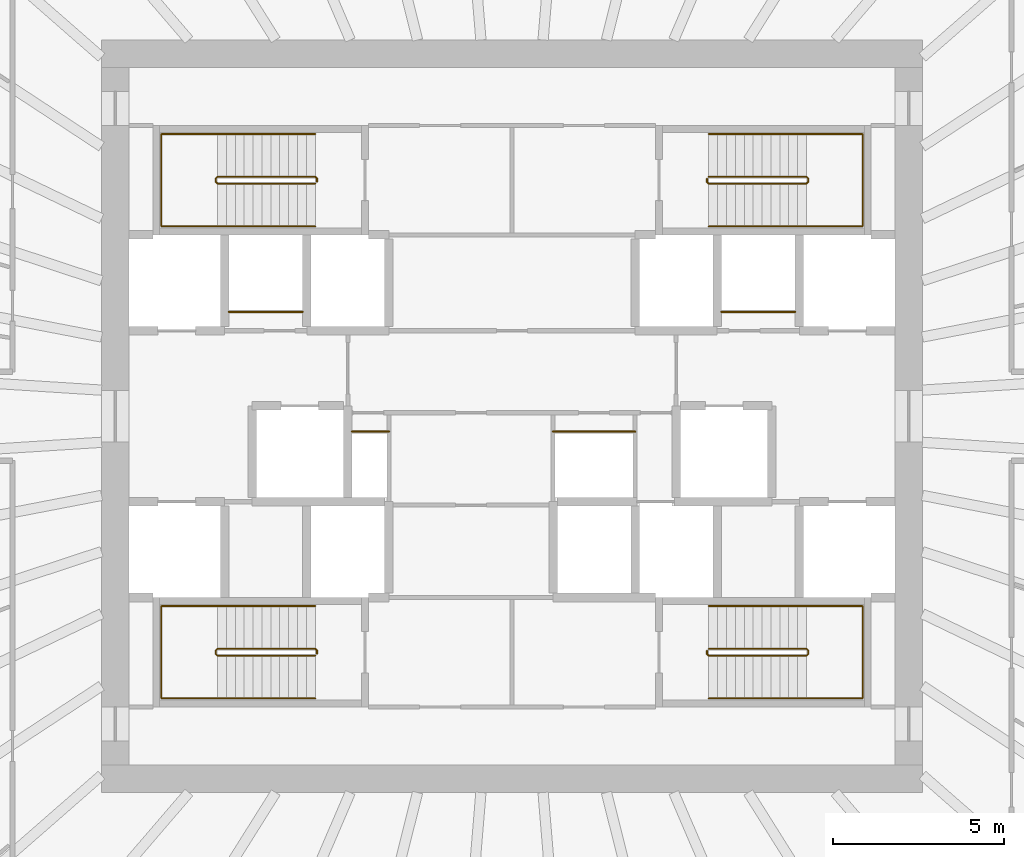
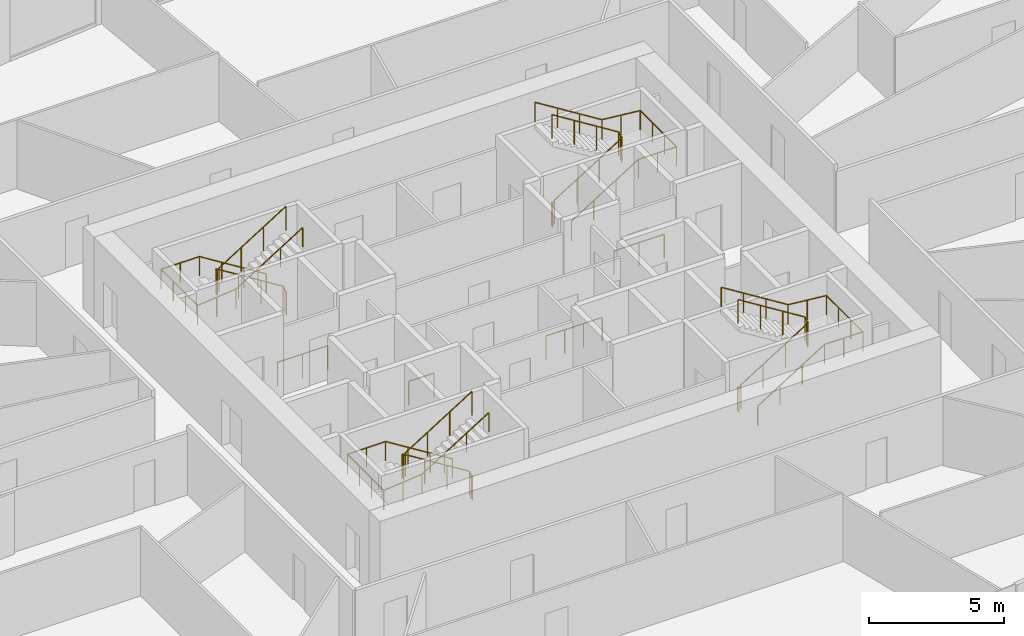
# One storey, part 11 of 11: 12 railings.
"""IFC4 building model written with IfcOpenShell, lengths in metres."""

from ifc_helpers import new_model, si_unit, direction, frame, origin, origin_2d, place, context, subcontext, project, spatial, circle, extrude, source, transform, mapped, material, type_object, element, save


model = new_model("IFC4")

# Units and contexts
model_context = context("Model", 3, precision=1e-05, world=origin(), true_north=direction((0.0, 1.0)))
body_context = subcontext(model_context, "Body", "Model", "MODEL_VIEW")
ifc_project = project(units=[si_unit("LENGTHUNIT", "METRE"), si_unit("AREAUNIT", "SQUARE_METRE"), si_unit("VOLUMEUNIT", "CUBIC_METRE"), si_unit("PLANEANGLEUNIT", "RADIAN"), si_unit("MASSUNIT", "GRAM", prefix="KILO")], contexts=[model_context])

# Site, building, storey
site_placement = place(None, origin())
site = spatial("IfcSite", under=ifc_project, at=site_placement, CompositionType="ELEMENT")
building_placement = place(site_placement, origin())
building = spatial("IfcBuilding", under=site, at=building_placement, Name="Embergate Tower", CompositionType="ELEMENT")
storey_placement = place(building_placement, frame((0.0, 0.0, 199.5)))
storey = spatial("IfcBuildingStorey", under=building, at=storey_placement, Name="L45", CompositionType="ELEMENT", Elevation=199.5)

# Railings
ifc_material_1 = material(Name="Stair guard 1100")
railing_type_1 = type_object("IfcRailingType", Name="Stair guard 1100", PredefinedType="GUARDRAIL", material=ifc_material_1)
shared_shape_1 = source(origin(), body_context, "Body", "SweptSolid", [
    extrude(circle(Radius=0.02392578125, at=origin_2d()), frame((0.0, 0.0, 1.076171875), z_axis=(0.0, 1.0, 0.0), x_axis=(-1.0, 0.0, 0.0)), (0.0, 0.0, 1.0), 0.099853515625),
    extrude(circle(Radius=0.02392578125, at=origin_2d()), frame((0.0, 0.099853515625, 1.076171875), z_axis=(-0.282227285176, 0.282227285176, 0.916894497205), x_axis=(-0.707106781187, -0.707106781187, 0.0)), (0.0, 0.0, 1.0), 0.17724609375),
    extrude(circle(Radius=0.02392578125, at=origin_2d()), frame((-0.050048828125, 0.14990234375, 1.23876953125), z_axis=(-0.848026770018, 0.0, 0.529953391661), x_axis=(0.0, -1.0, 0.0)), (0.0, 0.0, 1.0), 3.37255859375),
    extrude(circle(Radius=0.02392578125, at=origin_2d()), frame((-2.91015625, 0.14990234375, 3.02587890625), z_axis=(-0.705375805398, -0.708833529934, 0.0), x_axis=(0.708833529934, -0.705375805398, 0.0)), (0.0, 0.0, 1.0), 0.070556640625),
    extrude(circle(Radius=0.02392578125, at=origin_2d()), frame((-2.9599609375, 0.099853515625, 3.02587890625), z_axis=(0.0, -1.0, 0.0), x_axis=(1.0, 0.0, 0.0)), (0.0, 0.0, 1.0), 0.099853515625),
    extrude(circle(Radius=0.02392578125, at=origin_2d()), frame((-2.9599609375, 0.0, 3.02587890625), z_axis=(0.280959487676, -0.282336740067, 0.917250092119), x_axis=(0.708833529934, 0.705375805398, 0.0)), (0.0, 0.0, 1.0), 0.17724609375),
    extrude(circle(Radius=0.02392578125, at=origin_2d()), frame((-2.91015625, -0.050048828125, 3.1884765625), z_axis=(0.848026770018, 0.0, 0.529953391661), x_axis=(0.0, 1.0, 0.0)), (0.0, 0.0, 1.0), 3.37255859375),
    extrude(circle(Radius=0.02099609375, at=origin_2d()), origin(), (0.0, 0.0, 1.0), 1.052001953125),
    extrude(circle(Radius=0.02099609375, at=origin_2d()), frame((0.0, 0.099853515625, 0.0)), (0.0, 0.0, 1.0), 1.052001953125),
    extrude(circle(Radius=0.02099609375, at=origin_2d()), frame((-0.050048828125, 0.14990234375, 0.16259765625)), (0.0, 0.0, 1.0), 1.052001953125),
    extrude(circle(Radius=0.02099609375, at=origin_2d()), frame((-1.00341796875, 0.14990234375, 0.75830078125)), (0.0, 0.0, 1.0), 1.052001953125),
    extrude(circle(Radius=0.02099609375, at=origin_2d()), frame((-1.956787109375, 0.14990234375, 1.354248046875)), (0.0, 0.0, 1.0), 1.052001953125),
    extrude(circle(Radius=0.02099609375, at=origin_2d()), frame((-2.91015625, 0.14990234375, 1.949951171875)), (0.0, 0.0, 1.0), 1.052001953125),
    extrude(circle(Radius=0.02099609375, at=origin_2d()), frame((-2.9599609375, 0.099853515625, 1.949951171875)), (0.0, 0.0, 1.0), 1.052001953125),
    extrude(circle(Radius=0.02099609375, at=origin_2d()), frame((-2.9599609375, 0.0, 1.949951171875)), (0.0, 0.0, 1.0), 1.052001953125),
    extrude(circle(Radius=0.02099609375, at=origin_2d()), frame((-2.91015625, -0.050048828125, 2.112548828125)), (0.0, 0.0, 1.0), 1.052001953125),
    extrude(circle(Radius=0.02099609375, at=origin_2d()), frame((-1.956787109375, -0.050048828125, 2.708251953125)), (0.0, 0.0, 1.0), 1.052001953125),
    extrude(circle(Radius=0.02099609375, at=origin_2d()), frame((-1.00341796875, -0.050048828125, 3.30419921875)), (0.0, 0.0, 1.0), 1.052001953125),
    extrude(circle(Radius=0.02099609375, at=origin_2d()), frame((-0.050048828125, -0.050048828125, 3.89990234375)), (0.0, 0.0, 1.0), 1.052001953125),
])
for number, where, name in (
    (1, (-5.699951171875, 6.85009765625, 0.0), "L45 ST1 stair guard 1"),
    (2, (-5.699951171875, -6.949951171875, 0.0), "L45 ST3 stair guard 1"),
):
    element("IfcRailing", number, at=place(storey_placement, frame(where)), inside=storey, type_object=railing_type_1, Name=name, PredefinedType="GUARDRAIL", context=body_context, shape_type="MappedRepresentation", body=[
        mapped(shared_shape_1, transform((0.0, 0.0, 0.0))),
    ])
ifc_material_2 = material(Name="Stair handrail 900")
railing_type_2 = type_object("IfcRailingType", Name="Stair handrail 900", PredefinedType="HANDRAIL", material=ifc_material_2)
shared_shape_2 = source(origin(), body_context, "Body", "SweptSolid", [
    extrude(circle(Radius=0.02392578125, at=origin_2d()), frame((0.0, 0.0, 0.8759765625), z_axis=(-0.848026770018, 0.0, 0.529953391661), x_axis=(0.0, -1.0, 0.0)), (0.0, 0.0, 1.0), 3.37255859375),
    extrude(circle(Radius=0.02392578125, at=origin_2d()), frame((-2.860107421875, 0.0, 2.6630859375), z_axis=(-1.0, 0.0, 0.0), x_axis=(0.0, -1.0, 0.0)), (0.0, 0.0, 1.0), 1.639892578125),
    extrude(circle(Radius=0.02392578125, at=origin_2d()), frame((-4.5, 0.0, 2.6630859375), z_axis=(0.0, -1.0, 0.0), x_axis=(1.0, 0.0, 0.0)), (0.0, 0.0, 1.0), 2.699951171875),
    extrude(circle(Radius=0.02392578125, at=origin_2d()), frame((-4.5, -2.699951171875, 2.6630859375), z_axis=(0.995120448088, 0.0, 0.098667592441), x_axis=(0.0, 1.0, 0.0)), (0.0, 0.0, 1.0), 1.64794921875),
    extrude(circle(Radius=0.02392578125, at=origin_2d()), frame((-2.860107421875, -2.699951171875, 2.82568359375), z_axis=(0.848026770018, 0.0, 0.529953391661), x_axis=(0.0, 1.0, 0.0)), (0.0, 0.0, 1.0), 3.37255859375),
    extrude(circle(Radius=0.02099609375, at=origin_2d()), origin(), (0.0, 0.0, 1.0), 0.851806640625),
    extrude(circle(Radius=0.02099609375, at=origin_2d()), frame((-0.953369140625, 0.0, 0.595703125)), (0.0, 0.0, 1.0), 0.851806640625),
    extrude(circle(Radius=0.02099609375, at=origin_2d()), frame((-1.90673828125, 0.0, 1.191650390625)), (0.0, 0.0, 1.0), 0.851806640625),
    extrude(circle(Radius=0.02099609375, at=origin_2d()), frame((-2.860107421875, 0.0, 1.787353515625)), (0.0, 0.0, 1.0), 0.851806640625),
    extrude(circle(Radius=0.02099609375, at=origin_2d()), frame((-3.68017578125, 0.0, 1.787353515625)), (0.0, 0.0, 1.0), 0.851806640625),
    extrude(circle(Radius=0.02099609375, at=origin_2d()), frame((-4.5, 0.0, 1.787353515625)), (0.0, 0.0, 1.0), 0.851806640625),
    extrude(circle(Radius=0.02099609375, at=origin_2d()), frame((-4.5, -0.89990234375, 1.787353515625)), (0.0, 0.0, 1.0), 0.851806640625),
    extrude(circle(Radius=0.02099609375, at=origin_2d()), frame((-4.5, -1.800048828125, 1.787353515625)), (0.0, 0.0, 1.0), 0.851806640625),
    extrude(circle(Radius=0.02099609375, at=origin_2d()), frame((-4.5, -2.699951171875, 1.787353515625)), (0.0, 0.0, 1.0), 0.851806640625),
    extrude(circle(Radius=0.02099609375, at=origin_2d()), frame((-3.68017578125, -2.699951171875, 1.86865234375)), (0.0, 0.0, 1.0), 0.851806640625),
    extrude(circle(Radius=0.02099609375, at=origin_2d()), frame((-2.860107421875, -2.699951171875, 1.949951171875)), (0.0, 0.0, 1.0), 0.851806640625),
    extrude(circle(Radius=0.02099609375, at=origin_2d()), frame((-1.90673828125, -2.699951171875, 2.545654296875)), (0.0, 0.0, 1.0), 0.851806640625),
    extrude(circle(Radius=0.02099609375, at=origin_2d()), frame((-0.953369140625, -2.699951171875, 3.1416015625)), (0.0, 0.0, 1.0), 0.851806640625),
    extrude(circle(Radius=0.02099609375, at=origin_2d()), frame((0.0, -2.699951171875, 3.7373046875)), (0.0, 0.0, 1.0), 0.851806640625),
])
for number, where, name in (
    (3, (-5.75, 8.25, 0.16259765625), "L45 ST1 stair handrail 1"),
    (4, (-5.75, -5.550048828125, 0.16259765625), "L45 ST3 stair handrail 1"),
):
    element("IfcRailing", number, at=place(storey_placement, frame(where)), inside=storey, type_object=railing_type_2, Name=name, PredefinedType="HANDRAIL", context=body_context, shape_type="MappedRepresentation", body=[
        mapped(shared_shape_2, transform((0.0, 0.0, 0.0))),
    ])
shared_shape_3 = source(origin(), body_context, "Body", "SweptSolid", [
    extrude(circle(Radius=0.02392578125, at=origin_2d()), frame((0.0, 0.0, 1.076171875), z_axis=(0.0, -1.0, 0.0), x_axis=(1.0, 0.0, 0.0)), (0.0, 0.0, 1.0), 0.099853515625),
    extrude(circle(Radius=0.02392578125, at=origin_2d()), frame((0.0, -0.099853515625, 1.076171875), z_axis=(0.282227285176, -0.282227285176, 0.916894497205), x_axis=(0.707106781187, 0.707106781187, 0.0)), (0.0, 0.0, 1.0), 0.17724609375),
    extrude(circle(Radius=0.02392578125, at=origin_2d()), frame((0.050048828125, -0.14990234375, 1.23876953125), z_axis=(0.848026770018, 0.0, 0.529953391661), x_axis=(0.0, 1.0, 0.0)), (0.0, 0.0, 1.0), 3.37255859375),
    extrude(circle(Radius=0.02392578125, at=origin_2d()), frame((2.91015625, -0.14990234375, 3.02587890625), z_axis=(0.705375805398, 0.708833529934, 0.0), x_axis=(-0.708833529934, 0.705375805398, 0.0)), (0.0, 0.0, 1.0), 0.070556640625),
    extrude(circle(Radius=0.02392578125, at=origin_2d()), frame((2.9599609375, -0.099853515625, 3.02587890625), z_axis=(0.0, 1.0, 0.0), x_axis=(-1.0, 0.0, 0.0)), (0.0, 0.0, 1.0), 0.099853515625),
    extrude(circle(Radius=0.02392578125, at=origin_2d()), frame((2.9599609375, 0.0, 3.02587890625), z_axis=(-0.280959487676, 0.282336740067, 0.917250092119), x_axis=(-0.708833529934, -0.705375805398, 0.0)), (0.0, 0.0, 1.0), 0.17724609375),
    extrude(circle(Radius=0.02392578125, at=origin_2d()), frame((2.91015625, 0.050048828125, 3.1884765625), z_axis=(-0.848026770018, 0.0, 0.529953391661), x_axis=(0.0, -1.0, 0.0)), (0.0, 0.0, 1.0), 3.37255859375),
    extrude(circle(Radius=0.02099609375, at=origin_2d()), origin(), (0.0, 0.0, 1.0), 1.052001953125),
    extrude(circle(Radius=0.02099609375, at=origin_2d()), frame((0.0, -0.099853515625, 0.0)), (0.0, 0.0, 1.0), 1.052001953125),
    extrude(circle(Radius=0.02099609375, at=origin_2d()), frame((0.050048828125, -0.14990234375, 0.16259765625)), (0.0, 0.0, 1.0), 1.052001953125),
    extrude(circle(Radius=0.02099609375, at=origin_2d()), frame((1.00341796875, -0.14990234375, 0.75830078125)), (0.0, 0.0, 1.0), 1.052001953125),
    extrude(circle(Radius=0.02099609375, at=origin_2d()), frame((1.956787109375, -0.14990234375, 1.354248046875)), (0.0, 0.0, 1.0), 1.052001953125),
    extrude(circle(Radius=0.02099609375, at=origin_2d()), frame((2.91015625, -0.14990234375, 1.949951171875)), (0.0, 0.0, 1.0), 1.052001953125),
    extrude(circle(Radius=0.02099609375, at=origin_2d()), frame((2.9599609375, -0.099853515625, 1.949951171875)), (0.0, 0.0, 1.0), 1.052001953125),
    extrude(circle(Radius=0.02099609375, at=origin_2d()), frame((2.9599609375, 0.0, 1.949951171875)), (0.0, 0.0, 1.0), 1.052001953125),
    extrude(circle(Radius=0.02099609375, at=origin_2d()), frame((2.91015625, 0.050048828125, 2.112548828125)), (0.0, 0.0, 1.0), 1.052001953125),
    extrude(circle(Radius=0.02099609375, at=origin_2d()), frame((1.956787109375, 0.050048828125, 2.708251953125)), (0.0, 0.0, 1.0), 1.052001953125),
    extrude(circle(Radius=0.02099609375, at=origin_2d()), frame((1.00341796875, 0.050048828125, 3.30419921875)), (0.0, 0.0, 1.0), 1.052001953125),
    extrude(circle(Radius=0.02099609375, at=origin_2d()), frame((0.050048828125, 0.050048828125, 3.89990234375)), (0.0, 0.0, 1.0), 1.052001953125),
])
for number, where, name in (
    (5, (5.699951171875, 6.949951171875, 0.0), "L45 ST2 stair guard 1"),
    (6, (5.699951171875, -6.85009765625, 0.0), "L45 ST4 stair guard 1"),
):
    element("IfcRailing", number, at=place(storey_placement, frame(where)), inside=storey, type_object=railing_type_1, Name=name, PredefinedType="GUARDRAIL", context=body_context, shape_type="MappedRepresentation", body=[
        mapped(shared_shape_3, transform((0.0, 0.0, 0.0))),
    ])
shared_shape_4 = source(origin(), body_context, "Body", "SweptSolid", [
    extrude(circle(Radius=0.02392578125, at=origin_2d()), frame((0.0, 0.0, 0.8759765625), z_axis=(0.848026770018, 0.0, 0.529953391661), x_axis=(0.0, 1.0, 0.0)), (0.0, 0.0, 1.0), 3.37255859375),
    extrude(circle(Radius=0.02392578125, at=origin_2d()), frame((2.860107421875, 0.0, 2.6630859375), z_axis=(1.0, 0.0, 0.0), x_axis=(0.0, 1.0, 0.0)), (0.0, 0.0, 1.0), 1.639892578125),
    extrude(circle(Radius=0.02392578125, at=origin_2d()), frame((4.5, 0.0, 2.6630859375), z_axis=(0.0, 1.0, 0.0), x_axis=(-1.0, 0.0, 0.0)), (0.0, 0.0, 1.0), 2.699951171875),
    extrude(circle(Radius=0.02392578125, at=origin_2d()), frame((4.5, 2.699951171875, 2.6630859375), z_axis=(-0.995120448088, 0.0, 0.098667592441), x_axis=(0.0, -1.0, 0.0)), (0.0, 0.0, 1.0), 1.64794921875),
    extrude(circle(Radius=0.02392578125, at=origin_2d()), frame((2.860107421875, 2.699951171875, 2.82568359375), z_axis=(-0.848026770018, 0.0, 0.529953391661), x_axis=(0.0, -1.0, 0.0)), (0.0, 0.0, 1.0), 3.37255859375),
    extrude(circle(Radius=0.02099609375, at=origin_2d()), origin(), (0.0, 0.0, 1.0), 0.851806640625),
    extrude(circle(Radius=0.02099609375, at=origin_2d()), frame((0.953369140625, 0.0, 0.595703125)), (0.0, 0.0, 1.0), 0.851806640625),
    extrude(circle(Radius=0.02099609375, at=origin_2d()), frame((1.90673828125, 0.0, 1.191650390625)), (0.0, 0.0, 1.0), 0.851806640625),
    extrude(circle(Radius=0.02099609375, at=origin_2d()), frame((2.860107421875, 0.0, 1.787353515625)), (0.0, 0.0, 1.0), 0.851806640625),
    extrude(circle(Radius=0.02099609375, at=origin_2d()), frame((3.68017578125, 0.0, 1.787353515625)), (0.0, 0.0, 1.0), 0.851806640625),
    extrude(circle(Radius=0.02099609375, at=origin_2d()), frame((4.5, 0.0, 1.787353515625)), (0.0, 0.0, 1.0), 0.851806640625),
    extrude(circle(Radius=0.02099609375, at=origin_2d()), frame((4.5, 0.89990234375, 1.787353515625)), (0.0, 0.0, 1.0), 0.851806640625),
    extrude(circle(Radius=0.02099609375, at=origin_2d()), frame((4.5, 1.800048828125, 1.787353515625)), (0.0, 0.0, 1.0), 0.851806640625),
    extrude(circle(Radius=0.02099609375, at=origin_2d()), frame((4.5, 2.699951171875, 1.787353515625)), (0.0, 0.0, 1.0), 0.851806640625),
    extrude(circle(Radius=0.02099609375, at=origin_2d()), frame((3.68017578125, 2.699951171875, 1.86865234375)), (0.0, 0.0, 1.0), 0.851806640625),
    extrude(circle(Radius=0.02099609375, at=origin_2d()), frame((2.860107421875, 2.699951171875, 1.949951171875)), (0.0, 0.0, 1.0), 0.851806640625),
    extrude(circle(Radius=0.02099609375, at=origin_2d()), frame((1.90673828125, 2.699951171875, 2.545654296875)), (0.0, 0.0, 1.0), 0.851806640625),
    extrude(circle(Radius=0.02099609375, at=origin_2d()), frame((0.953369140625, 2.699951171875, 3.1416015625)), (0.0, 0.0, 1.0), 0.851806640625),
    extrude(circle(Radius=0.02099609375, at=origin_2d()), frame((0.0, 2.699951171875, 3.7373046875)), (0.0, 0.0, 1.0), 0.851806640625),
])
for number, where, name in (
    (7, (5.75, 5.550048828125, 0.16259765625), "L45 ST2 stair handrail 1"),
    (8, (5.75, -8.25, 0.16259765625), "L45 ST4 stair handrail 1"),
):
    element("IfcRailing", number, at=place(storey_placement, frame(where)), inside=storey, type_object=railing_type_2, Name=name, PredefinedType="HANDRAIL", context=body_context, shape_type="MappedRepresentation", body=[
        mapped(shared_shape_4, transform((0.0, 0.0, 0.0))),
    ])
ifc_material_3 = material(Name="Opening guard 1100")
railing_type_3 = type_object("IfcRailingType", Name="Opening guard 1100", PredefinedType="GUARDRAIL", material=ifc_material_3)
shared_shape_5 = source(origin(), body_context, "Body", "SweptSolid", [
    extrude(circle(Radius=0.02392578125, at=origin_2d()), frame((0.0, 0.0, 1.076171875), z_axis=(1.0, 0.0, 0.0), x_axis=(0.0, 1.0, 0.0)), (0.0, 0.0, 1.0), 2.14990234375),
    extrude(circle(Radius=0.02099609375, at=origin_2d()), origin(), (0.0, 0.0, 1.0), 1.052001953125),
    extrude(circle(Radius=0.02099609375, at=origin_2d()), frame((1.074951171875, 0.0, 0.0)), (0.0, 0.0, 1.0), 1.052001953125),
    extrude(circle(Radius=0.02099609375, at=origin_2d()), frame((2.14990234375, 0.0, 0.0)), (0.0, 0.0, 1.0), 1.052001953125),
])
for number, where, name in (
    (9, (-8.27490234375, 3.050048828125, 0.0), "Riser opening guard"),
    (10, (6.125, 3.050048828125, 0.0), "Riser opening guard"),
):
    element("IfcRailing", number, at=place(storey_placement, frame(where)), inside=storey, type_object=railing_type_3, Name=name, PredefinedType="GUARDRAIL", context=body_context, shape_type="MappedRepresentation", body=[
        mapped(shared_shape_5, transform((0.0, 0.0, 0.0))),
    ])
shared_shape_6 = source(origin(), body_context, "Body", "SweptSolid", [
    extrude(circle(Radius=0.02392578125, at=origin_2d()), frame((0.0, 0.0, 1.076171875), z_axis=(1.0, 0.0, 0.0), x_axis=(0.0, 1.0, 0.0)), (0.0, 0.0, 1.0), 1.074951171875),
    extrude(circle(Radius=0.02099609375, at=origin_2d()), origin(), (0.0, 0.0, 1.0), 1.052001953125),
    extrude(circle(Radius=0.02099609375, at=origin_2d()), frame((1.074951171875, 0.0, 0.0)), (0.0, 0.0, 1.0), 1.052001953125),
])
railing_1_placement = place(storey_placement, frame((-4.675048828125, -0.449951171875, 0.0)))
element("IfcRailing", 11, at=railing_1_placement, inside=storey, type_object=railing_type_3, Name="Riser opening guard", PredefinedType="GUARDRAIL", context=body_context, shape_type="MappedRepresentation", body=[
    mapped(shared_shape_6, transform((0.0, 0.0, 0.0))),
])
shared_shape_7 = source(origin(), body_context, "Body", "SweptSolid", [
    extrude(circle(Radius=0.02392578125, at=origin_2d()), frame((0.0, 0.0, 1.076171875), z_axis=(1.0, 0.0, 0.0), x_axis=(0.0, 1.0, 0.0)), (0.0, 0.0, 1.0), 2.400146484375),
    extrude(circle(Radius=0.02099609375, at=origin_2d()), origin(), (0.0, 0.0, 1.0), 1.052001953125),
    extrude(circle(Radius=0.02099609375, at=origin_2d()), frame((0.800048828125, 0.0, 0.0)), (0.0, 0.0, 1.0), 1.052001953125),
    extrude(circle(Radius=0.02099609375, at=origin_2d()), frame((1.60009765625, 0.0, 0.0)), (0.0, 0.0, 1.0), 1.052001953125),
    extrude(circle(Radius=0.02099609375, at=origin_2d()), frame((2.400146484375, 0.0, 0.0)), (0.0, 0.0, 1.0), 1.052001953125),
])
railing_2_placement = place(storey_placement, frame((1.199951171875, -0.449951171875, 0.0)))
element("IfcRailing", 12, at=railing_2_placement, inside=storey, type_object=railing_type_3, Name="Riser opening guard", PredefinedType="GUARDRAIL", context=body_context, shape_type="MappedRepresentation", body=[
    mapped(shared_shape_7, transform((0.0, 0.0, 0.0))),
])

save(model, "model.ifc")
